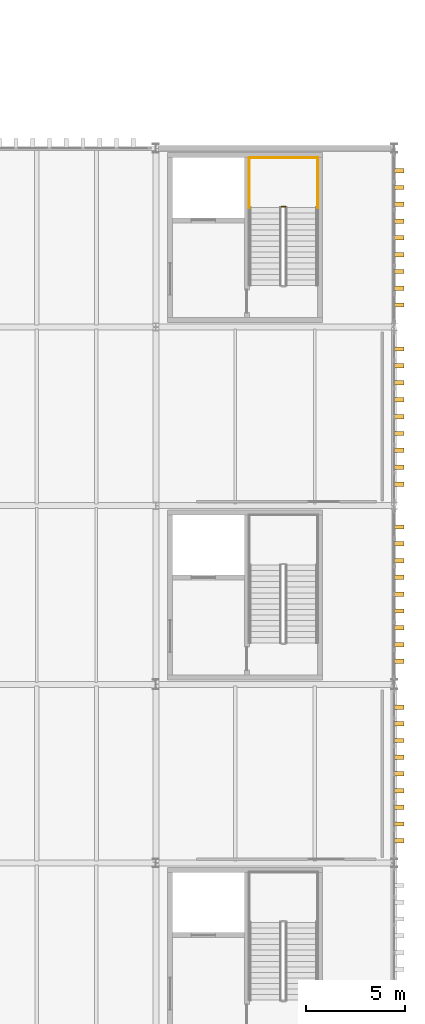
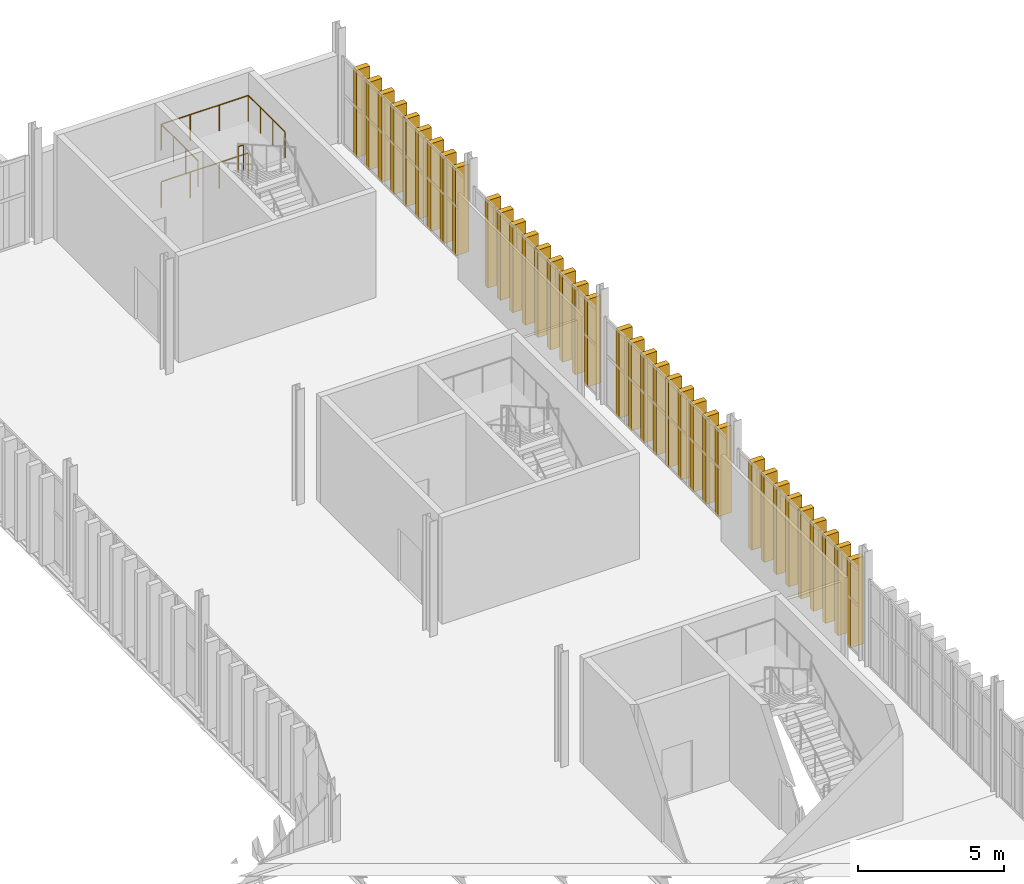
# One storey, part 196 of 196: 36 shading devices, 5 railings.
"""IFC4 building model written with IfcOpenShell, lengths in metres."""

from ifc_helpers import new_model, si_unit, direction, frame, origin, origin_2d, place, context, subcontext, project, spatial, rectangle, circle, extrude, material, type_object, element, save


model = new_model("IFC4")

# Units and contexts
model_context = context("Model", 3, precision=1e-05, world=origin(), true_north=direction((0.0, 1.0)))
body_context = subcontext(model_context, "Body", "Model", "MODEL_VIEW")
ifc_project = project(units=[si_unit("LENGTHUNIT", "METRE"), si_unit("AREAUNIT", "SQUARE_METRE"), si_unit("VOLUMEUNIT", "CUBIC_METRE"), si_unit("PLANEANGLEUNIT", "RADIAN"), si_unit("MASSUNIT", "GRAM", prefix="KILO")], contexts=[model_context])

# Site, building, storey
site_placement = place(None, origin())
site = spatial("IfcSite", under=ifc_project, at=site_placement, CompositionType="ELEMENT")
building_placement = place(site_placement, origin())
building = spatial("IfcBuilding", under=site, at=building_placement, Name="Barlavento Convention Centre", CompositionType="ELEMENT")
storey_placement = place(building_placement, frame((0.0, 0.0, 18.0)))
storey = spatial("IfcBuildingStorey", under=building, at=storey_placement, Name="L03", CompositionType="ELEMENT", Elevation=18.0)

# Railings
ifc_material_1 = material(Name="Stainless steel and laminated glass balustrade", Category="steel")
railing_type = type_object("IfcRailingType", Name="ARC-RAL-BAL-1100", PredefinedType="BALUSTRADE", material=ifc_material_1)
railing_placement = place(storey_placement, frame((186.530029296875, 96.06005859375, 2.39990234375)))
element("IfcRailing", 1, at=railing_placement, inside=storey, type_object=railing_type, Name="L03 ST08 stair guard 2", PredefinedType="BALUSTRADE", context=body_context, shape_type="SweptSolid", body=[
    extrude(circle(Radius=0.02392578125, at=origin_2d()), frame((0.0, 0.0, 1.076171875), z_axis=(-1.0, 0.0, 0.0), x_axis=(0.0, -1.0, 0.0)), (0.0, 0.0, 1.0), 0.199951171875),
    extrude(circle(Radius=0.02099609375, at=origin_2d()), origin(), (0.0, 0.0, 1.0), 1.052001953125),
    extrude(circle(Radius=0.02099609375, at=origin_2d()), frame((-0.199951171875, 0.0, 0.0)), (0.0, 0.0, 1.0), 1.052001953125),
])
for number, where, name in (
    (2, (188.14990234375, 96.010009765625, 2.39990234375), "L03 landing guard GR01"),
    (3, (184.7099609375, 96.010009765625, 2.39990234375), "L03 landing guard GR01"),
):
    element("IfcRailing", number, at=place(storey_placement, frame(where)), inside=storey, type_object=railing_type, Name=name, PredefinedType="BALUSTRADE", context=body_context, shape_type="SweptSolid", body=[
        extrude(circle(Radius=0.02392578125, at=origin_2d()), frame((0.0, 0.0, 1.076171875), z_axis=(0.0, 1.0, 0.0), x_axis=(-1.0, 0.0, 0.0)), (0.0, 0.0, 1.0), 2.52001953125),
        extrude(circle(Radius=0.02099609375, at=origin_2d()), origin(), (0.0, 0.0, 1.0), 1.052001953125),
        extrude(circle(Radius=0.02099609375, at=origin_2d()), frame((0.0, 0.840087890625, 0.0)), (0.0, 0.0, 1.0), 1.052001953125),
        extrude(circle(Radius=0.02099609375, at=origin_2d()), frame((0.0, 1.679931640625, 0.0)), (0.0, 0.0, 1.0), 1.052001953125),
        extrude(circle(Radius=0.02099609375, at=origin_2d()), frame((0.0, 2.52001953125, 0.0)), (0.0, 0.0, 1.0), 1.052001953125),
    ])
for number, where, name in (
    (4, (188.14990234375, 98.530029296875, 2.39990234375), "L03 landing guard GR01"),
    (5, (188.14990234375, 98.530029296875, 0.0), "L03 stairwell perimeter guard GR01"),
):
    element("IfcRailing", number, at=place(storey_placement, frame(where)), inside=storey, type_object=railing_type, Name=name, PredefinedType="BALUSTRADE", context=body_context, shape_type="SweptSolid", body=[
        extrude(circle(Radius=0.02392578125, at=origin_2d()), frame((0.0, 0.0, 1.076171875), z_axis=(-1.0, 0.0, 0.0), x_axis=(0.0, -1.0, 0.0)), (0.0, 0.0, 1.0), 3.43994140625),
        extrude(circle(Radius=0.02099609375, at=origin_2d()), origin(), (0.0, 0.0, 1.0), 1.052001953125),
        extrude(circle(Radius=0.02099609375, at=origin_2d()), frame((-1.146728515625, 0.0, 0.0)), (0.0, 0.0, 1.0), 1.052001953125),
        extrude(circle(Radius=0.02099609375, at=origin_2d()), frame((-2.293212890625, 0.0, 0.0)), (0.0, 0.0, 1.0), 1.052001953125),
        extrude(circle(Radius=0.02099609375, at=origin_2d()), frame((-3.43994140625, 0.0, 0.0)), (0.0, 0.0, 1.0), 1.052001953125),
    ])

# Shading devices
ifc_material_2 = material(Name="PVDF white extruded aluminium", Category="aluminium")
shading_device_type = type_object("IfcShadingDeviceType", Name="ARC-SHD-FIN-480", PredefinedType="USERDEFINED", material=ifc_material_2)
for number, where, z_axis, x_axis, name in (
    (6, (192.239990234375, 64.12548828125, 0.0), (0.0, 0.0, 1.0), (0.0, 1.0, 0.0), "White vertical solar shading fin VF01"),
    (7, (192.239990234375, 64.966064453125, 0.0), (0.0, 0.0, 1.0), (0.0, 1.0, 0.0), "White vertical solar shading fin VF01"),
    (8, (192.239990234375, 65.806396484375, 0.0), (0.0, 0.0, 1.0), (0.0, 1.0, 0.0), "White vertical solar shading fin VF01"),
    (9, (192.239990234375, 66.64697265625, 0.0), (0.0, 0.0, 1.0), (0.0, 1.0, 0.0), "White vertical solar shading fin VF01"),
    (10, (192.239990234375, 67.487548828125, 0.0), (0.0, 0.0, 1.0), (0.0, 1.0, 0.0), "White vertical solar shading fin VF01"),
    (11, (192.239990234375, 68.327880859375, 0.0), (0.0, 0.0, 1.0), (0.0, 1.0, 0.0), "White vertical solar shading fin VF01"),
    (12, (192.239990234375, 69.16845703125, 0.0), (0.0, 0.0, 1.0), (0.0, 1.0, 0.0), "White vertical solar shading fin VF01"),
    (13, (192.239990234375, 70.009033203125, 0.0), (0.0, 0.0, 1.0), (0.0, 1.0, 0.0), "White vertical solar shading fin VF01"),
    (14, (192.239990234375, 70.849609375, 0.0), (0.0, 0.0, 1.0), (0.0, 1.0, 0.0), "White vertical solar shading fin VF01"),
    (15, (192.239990234375, 73.156005859375, 0.0), (0.0, 0.0, 1.0), (0.0, 1.0, 0.0), "White vertical solar shading fin VF01"),
    (16, (192.239990234375, 74.001953125, 0.0), (0.0, 0.0, 1.0), (0.0, 1.0, 0.0), "White vertical solar shading fin VF01"),
    (17, (192.239990234375, 74.847900390625, 0.0), (0.0, 0.0, 1.0), (0.0, 1.0, 0.0), "White vertical solar shading fin VF01"),
    (18, (192.239990234375, 75.694091796875, 0.0), (0.0, 0.0, 1.0), (0.0, 1.0, 0.0), "White vertical solar shading fin VF01"),
    (19, (192.239990234375, 76.5400390625, 0.0), (0.0, 0.0, 1.0), (0.0, 1.0, 0.0), "White vertical solar shading fin VF01"),
    (20, (192.239990234375, 77.385986328125, 0.0), (0.0, 0.0, 1.0), (0.0, 1.0, 0.0), "White vertical solar shading fin VF01"),
    (21, (192.239990234375, 78.23193359375, 0.0), (0.0, 0.0, 1.0), (0.0, 1.0, 0.0), "White vertical solar shading fin VF01"),
    (22, (192.239990234375, 79.077880859375, 0.0), (0.0, 0.0, 1.0), (0.0, 1.0, 0.0), "White vertical solar shading fin VF01"),
    (23, (192.239990234375, 79.924072265625, 0.0), (0.0, 0.0, 1.0), (0.0, 1.0, 0.0), "White vertical solar shading fin VF01"),
    (24, (192.239990234375, 82.0810546875, 0.0), (0.0, 0.0, 1.0), (0.0, 1.0, 0.0), "White vertical solar shading fin VF01"),
    (25, (192.239990234375, 82.931884765625, 0.0), (0.0, 0.0, 1.0), (0.0, 1.0, 0.0), "White vertical solar shading fin VF01"),
    (26, (192.239990234375, 83.782958984375, 0.0), (0.0, 0.0, 1.0), (0.0, 1.0, 0.0), "White vertical solar shading fin VF01"),
    (27, (192.239990234375, 84.634033203125, 0.0), (0.0, 0.0, 1.0), (0.0, 1.0, 0.0), "White vertical solar shading fin VF01"),
    (28, (192.239990234375, 85.485107421875, 0.0), (0.0, 0.0, 1.0), (0.0, 1.0, 0.0), "White vertical solar shading fin VF01"),
    (29, (192.239990234375, 86.3359375, 0.0), (0.0, 0.0, 1.0), (0.0, 1.0, 0.0), "White vertical solar shading fin VF01"),
    (30, (192.239990234375, 87.18701171875, 0.0), (0.0, 0.0, 1.0), (0.0, 1.0, 0.0), "White vertical solar shading fin VF01"),
    (31, (192.239990234375, 88.0380859375, 0.0), (0.0, 0.0, 1.0), (0.0, 1.0, 0.0), "White vertical solar shading fin VF01"),
    (32, (192.239990234375, 88.888916015625, 0.0), (0.0, 0.0, 1.0), (0.0, 1.0, 0.0), "White vertical solar shading fin VF01"),
    (33, (192.239990234375, 91.10546875, 0.0), (0.0, 0.0, 1.0), (0.0, 1.0, 0.0), "White vertical solar shading fin VF01"),
    (34, (192.239990234375, 91.950927734375, 0.0), (0.0, 0.0, 1.0), (0.0, 1.0, 0.0), "White vertical solar shading fin VF01"),
    (35, (192.239990234375, 92.79638671875, 0.0), (0.0, 0.0, 1.0), (0.0, 1.0, 0.0), "White vertical solar shading fin VF01"),
    (36, (192.239990234375, 93.64208984375, 0.0), (0.0, 0.0, 1.0), (0.0, 1.0, 0.0), "White vertical solar shading fin VF01"),
    (37, (192.239990234375, 94.487548828125, 0.0), (0.0, 0.0, 1.0), (0.0, 1.0, 0.0), "White vertical solar shading fin VF01"),
    (38, (192.239990234375, 95.3330078125, 0.0), (0.0, 0.0, 1.0), (0.0, 1.0, 0.0), "White vertical solar shading fin VF01"),
    (39, (192.239990234375, 96.178466796875, 0.0), (0.0, 0.0, 1.0), (0.0, 1.0, 0.0), "White vertical solar shading fin VF01"),
    (40, (192.239990234375, 97.02392578125, 0.0), (0.0, 0.0, 1.0), (0.0, 1.0, 0.0), "White vertical solar shading fin VF01"),
    (41, (192.239990234375, 97.869384765625, 0.0), (0.0, 0.0, 1.0), (0.0, 1.0, 0.0), "White vertical solar shading fin VF01"),
):
    element("IfcShadingDevice", number, at=place(storey_placement, frame(where, z_axis=z_axis, x_axis=x_axis)), inside=storey, type_object=shading_device_type, Name=name, ObjectType="FIN", PredefinedType="USERDEFINED", context=body_context, shape_type="SweptSolid", body=[
        extrude(rectangle(XDim=0.219970703125, YDim=0.52001953125, at=origin_2d()), origin(), (0.0, 0.0, 1.0), 3.64990234375),
    ])

save(model, "model.ifc")
